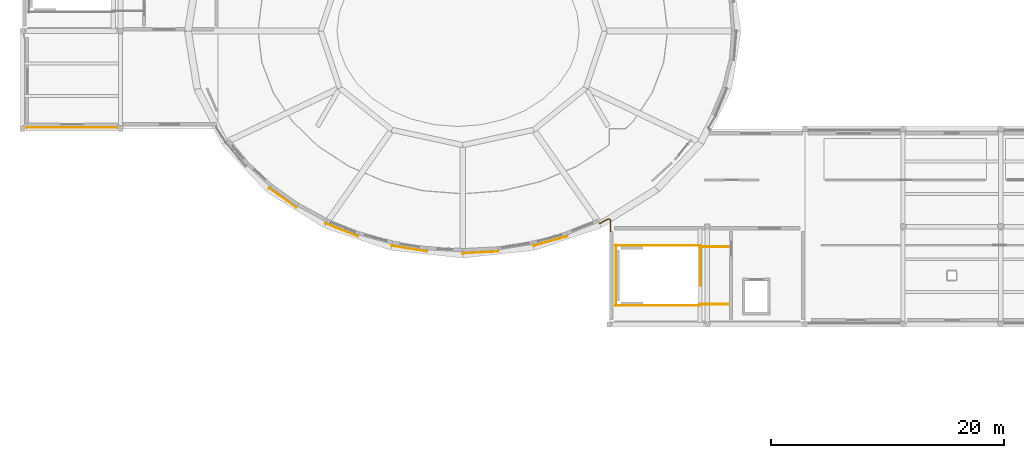
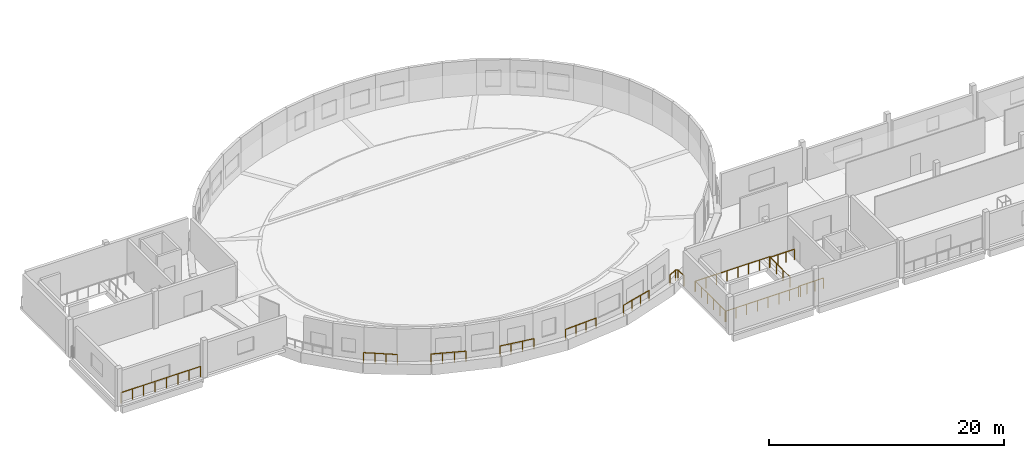
# One storey, part 12 of 16: 13 railings.
"""IFC4 building model written with IfcOpenShell, lengths in metres."""

from ifc_helpers import new_model, si_unit, derived_unit, direction, frame, origin, origin_2d, place, context, subcontext, project, spatial, circle, extrude, material, type_object, element, save


model = new_model("IFC4")

# Units and contexts
model_context = context("Model", 3, precision=1e-05, world=origin(), true_north=direction((0.0, 1.0)))
body_context = subcontext(model_context, "Body", "Model", "MODEL_VIEW")
ifc_project = project(units=[si_unit("LENGTHUNIT", "METRE"), si_unit("AREAUNIT", "SQUARE_METRE"), si_unit("VOLUMEUNIT", "CUBIC_METRE"), si_unit("PLANEANGLEUNIT", "RADIAN"), si_unit("MASSUNIT", "GRAM", prefix="KILO"), derived_unit("THERMALTRANSMITTANCEUNIT", [(si_unit("POWERUNIT", "WATT"), 1), (si_unit("LENGTHUNIT", "METRE"), -2), (si_unit("THERMODYNAMICTEMPERATUREUNIT", "KELVIN"), -1)])], contexts=[model_context])

# Site, building, storey
site_placement = place(None, origin())
site = spatial("IfcSite", under=ifc_project, at=site_placement, CompositionType="ELEMENT")
building_placement = place(site_placement, origin())
building = spatial("IfcBuilding", under=site, at=building_placement, Name="Elbkamm Science Centre", CompositionType="ELEMENT")
storey_placement = place(building_placement, frame((0.0, 0.0, 21.60009765625)))
storey = spatial("IfcBuildingStorey", under=building, at=storey_placement, Name="L05", CompositionType="ELEMENT", Elevation=21.60009765625)

# Railings
ifc_material = material(Name="Stainless steel EN 1.4401", Category="steel")
railing_type_1 = type_object("IfcRailingType", Name="RAIL-EXT-GUARD-1100", PredefinedType="GUARDRAIL", material=ifc_material)
railing_1_placement = place(storey_placement, frame((75.699951171875, 49.97998046875, 0.0)))
element("IfcRailing", 1, at=railing_1_placement, inside=storey, type_object=railing_type_1, Name="L05 Slab Edge Perimeter Guard 130", PredefinedType="GUARDRAIL", context=body_context, shape_type="SweptSolid", body=[
    extrude(circle(Radius=0.02392578125, at=origin_2d()), frame((0.0, 0.0, 1.078125), z_axis=(0.0, 1.0, 0.0), x_axis=(-1.0, 0.0, 0.0)), (0.0, 0.0, 1.0), 0.96337890625),
    extrude(circle(Radius=0.02392578125, at=origin_2d()), frame((-0.027587890625, 1.00537109375, 1.078125), z_axis=(-0.917568798904, 0.397577035653, 0.0), x_axis=(-0.397577035653, -0.917568798904, 0.0)), (0.0, 0.0, 1.0), 0.165283203125),
    extrude(circle(Radius=0.02392578125, at=origin_2d()), frame((-0.233154296875, 1.06884765625, 1.078125), z_axis=(-0.879670945628, -0.475582829187, 0.0), x_axis=(0.475582829187, -0.879670945628, 0.0)), (0.0, 0.0, 1.0), 0.82373046875),
    extrude(circle(Radius=0.02001953125, at=origin_2d()), origin(), (0.0, 0.0, 1.0), 1.048095703125),
    extrude(circle(Radius=0.02001953125, at=origin_2d()), frame((0.0, 0.993408203125, 0.0)), (0.0, 0.0, 1.0), 1.048095703125),
    extrude(circle(Radius=0.02001953125, at=origin_2d()), frame((-0.206787109375, 1.0830078125, 0.0)), (0.0, 0.0, 1.0), 1.048095703125),
    extrude(circle(Radius=0.02001953125, at=origin_2d()), frame((-0.957763671875, 0.677001953125, 0.0)), (0.0, 0.0, 1.0), 1.048095703125),
])
railing_2_placement = place(storey_placement, frame((72.013916015625, 49.562255859375, 0.0)))
element("IfcRailing", 2, at=railing_2_placement, inside=storey, type_object=railing_type_1, Name="L05 Slab Edge Perimeter Guard 131", PredefinedType="GUARDRAIL", context=body_context, shape_type="SweptSolid", body=[
    extrude(circle(Radius=0.02392578125, at=origin_2d()), frame((0.0, 0.0, 1.078125), z_axis=(-0.963904190639, -0.266249340411, 0.0), x_axis=(0.266249340411, -0.963904190639, 0.0)), (0.0, 0.0, 1.0), 3.052490234375),
    extrude(circle(Radius=0.02001953125, at=origin_2d()), origin(), (0.0, 0.0, 1.0), 1.048095703125),
    extrude(circle(Radius=0.02001953125, at=origin_2d()), frame((-0.980712890625, -0.27099609375, 0.0)), (0.0, 0.0, 1.0), 1.048095703125),
    extrude(circle(Radius=0.02001953125, at=origin_2d()), frame((-1.961669921875, -0.541748046875, 0.0)), (0.0, 0.0, 1.0), 1.048095703125),
    extrude(circle(Radius=0.02001953125, at=origin_2d()), frame((-2.9423828125, -0.812744140625, 0.0)), (0.0, 0.0, 1.0), 1.048095703125),
])
railing_3_placement = place(storey_placement, frame((66.08447265625, 48.266357421875, 0.0)))
element("IfcRailing", 3, at=railing_3_placement, inside=storey, type_object=railing_type_1, Name="L05 Slab Edge Perimeter Guard 132", PredefinedType="GUARDRAIL", context=body_context, shape_type="SweptSolid", body=[
    extrude(circle(Radius=0.02392578125, at=origin_2d()), frame((0.0, 0.0, 1.078125), z_axis=(-0.998576897626, -0.053330849672, 0.0), x_axis=(0.053330849672, -0.998576897626, 0.0)), (0.0, 0.0, 1.0), 3.103759765625),
    extrude(circle(Radius=0.02001953125, at=origin_2d()), origin(), (0.0, 0.0, 1.0), 1.048095703125),
    extrude(circle(Radius=0.02001953125, at=origin_2d()), frame((-1.033203125, -0.05517578125, 0.0)), (0.0, 0.0, 1.0), 1.048095703125),
    extrude(circle(Radius=0.02001953125, at=origin_2d()), frame((-2.066162109375, -0.1103515625, 0.0)), (0.0, 0.0, 1.0), 1.048095703125),
    extrude(circle(Radius=0.02001953125, at=origin_2d()), frame((-3.099365234375, -0.16552734375, 0.0)), (0.0, 0.0, 1.0), 1.048095703125),
])
railing_4_placement = place(storey_placement, frame((59.9453125, 48.26318359375, 0.0)))
element("IfcRailing", 4, at=railing_4_placement, inside=storey, type_object=railing_type_1, Name="L05 Slab Edge Perimeter Guard 133", PredefinedType="GUARDRAIL", context=body_context, shape_type="SweptSolid", body=[
    extrude(circle(Radius=0.02392578125, at=origin_2d()), frame((0.0, 0.0, 1.078125), z_axis=(-0.98716318052, 0.15971491798, 0.0), x_axis=(-0.15971491798, -0.98716318052, 0.0)), (0.0, 0.0, 1.0), 3.086181640625),
    extrude(circle(Radius=0.02001953125, at=origin_2d()), origin(), (0.0, 0.0, 1.0), 1.048095703125),
    extrude(circle(Radius=0.02001953125, at=origin_2d()), frame((-1.015625, 0.164306640625, 0.0)), (0.0, 0.0, 1.0), 1.048095703125),
    extrude(circle(Radius=0.02001953125, at=origin_2d()), frame((-2.031005859375, 0.32861328125, 0.0)), (0.0, 0.0, 1.0), 1.048095703125),
    extrude(circle(Radius=0.02001953125, at=origin_2d()), frame((-3.046630859375, 0.492919921875, 0.0)), (0.0, 0.0, 1.0), 1.048095703125),
])
railing_5_placement = place(storey_placement, frame((54.015869140625, 49.55224609375, 0.0)))
element("IfcRailing", 5, at=railing_5_placement, inside=storey, type_object=railing_type_1, Name="L05 Slab Edge Perimeter Guard 134", PredefinedType="GUARDRAIL", context=body_context, shape_type="SweptSolid", body=[
    extrude(circle(Radius=0.02392578125, at=origin_2d()), frame((0.0, 0.0, 1.078125), z_axis=(-0.928089392331, 0.372357462451, 0.0), x_axis=(-0.372357462451, -0.928089392331, 0.0)), (0.0, 0.0, 1.0), 3.003662109375),
    extrude(circle(Radius=0.02001953125, at=origin_2d()), origin(), (0.0, 0.0, 1.0), 1.048095703125),
    extrude(circle(Radius=0.02001953125, at=origin_2d()), frame((-0.92919921875, 0.372802734375, 0.0)), (0.0, 0.0, 1.0), 1.048095703125),
    extrude(circle(Radius=0.02001953125, at=origin_2d()), frame((-1.8583984375, 0.74560546875, 0.0)), (0.0, 0.0, 1.0), 1.048095703125),
    extrude(circle(Radius=0.02001953125, at=origin_2d()), frame((-2.78759765625, 1.118408203125, 0.0)), (0.0, 0.0, 1.0), 1.048095703125),
])
railing_6_placement = place(storey_placement, frame((48.701416015625, 52.04443359375, 0.0)))
element("IfcRailing", 6, at=railing_6_placement, inside=storey, type_object=railing_type_1, Name="L05 Slab Edge Perimeter Guard 135", PredefinedType="GUARDRAIL", context=body_context, shape_type="SweptSolid", body=[
    extrude(circle(Radius=0.02392578125, at=origin_2d()), frame((0.0, 0.0, 1.078125), z_axis=(-0.814037621768, 0.580812147209, 0.0), x_axis=(-0.580812147209, -0.814037621768, 0.0)), (0.0, 0.0, 1.0), 2.87353515625),
    extrude(circle(Radius=0.02001953125, at=origin_2d()), origin(), (0.0, 0.0, 1.0), 1.048095703125),
    extrude(circle(Radius=0.02001953125, at=origin_2d()), frame((-0.77978515625, 0.556396484375, 0.0)), (0.0, 0.0, 1.0), 1.048095703125),
    extrude(circle(Radius=0.02001953125, at=origin_2d()), frame((-1.559326171875, 1.112548828125, 0.0)), (0.0, 0.0, 1.0), 1.048095703125),
    extrude(circle(Radius=0.02001953125, at=origin_2d()), frame((-2.339111328125, 1.6689453125, 0.0)), (0.0, 0.0, 1.0), 1.048095703125),
])
railing_7_placement = place(storey_placement, frame((33.320068359375, 58.89990234375, 0.0)))
element("IfcRailing", 7, at=railing_7_placement, inside=storey, type_object=railing_type_1, Name="L05 Slab Edge Perimeter Guard 137", PredefinedType="GUARDRAIL", context=body_context, shape_type="SweptSolid", body=[
    extrude(circle(Radius=0.02392578125, at=origin_2d()), frame((0.0, 0.0, 1.078125), z_axis=(-1.0, 0.0, 0.0), x_axis=(0.0, -1.0, 0.0)), (0.0, 0.0, 1.0), 7.840087890625),
    extrude(circle(Radius=0.02001953125, at=origin_2d()), origin(), (0.0, 0.0, 1.0), 1.048095703125),
    extrude(circle(Radius=0.02001953125, at=origin_2d()), frame((-1.1201171875, 0.0, 0.0)), (0.0, 0.0, 1.0), 1.048095703125),
    extrude(circle(Radius=0.02001953125, at=origin_2d()), frame((-2.239990234375, 0.0, 0.0)), (0.0, 0.0, 1.0), 1.048095703125),
    extrude(circle(Radius=0.02001953125, at=origin_2d()), frame((-3.360107421875, 0.0, 0.0)), (0.0, 0.0, 1.0), 1.048095703125),
    extrude(circle(Radius=0.02001953125, at=origin_2d()), frame((-4.47998046875, 0.0, 0.0)), (0.0, 0.0, 1.0), 1.048095703125),
    extrude(circle(Radius=0.02001953125, at=origin_2d()), frame((-5.60009765625, 0.0, 0.0)), (0.0, 0.0, 1.0), 1.048095703125),
    extrude(circle(Radius=0.02001953125, at=origin_2d()), frame((-6.719970703125, 0.0, 0.0)), (0.0, 0.0, 1.0), 1.048095703125),
    extrude(circle(Radius=0.02001953125, at=origin_2d()), frame((-7.840087890625, 0.0, 0.0)), (0.0, 0.0, 1.0), 1.048095703125),
])
railing_type_2 = type_object("IfcRailingType", Name="RAIL-GUARD-1100", PredefinedType="GUARDRAIL", material=ifc_material)
railing_8_placement = place(storey_placement, frame((83.429931640625, 48.719970703125, 0.0)))
element("IfcRailing", 8, at=railing_8_placement, inside=storey, type_object=railing_type_2, Name="L05 ST-C2 top well guard 1", PredefinedType="GUARDRAIL", context=body_context, shape_type="SweptSolid", body=[
    extrude(circle(Radius=0.02392578125, at=origin_2d()), frame((0.0, 0.0, 1.078125), z_axis=(0.0, -1.0, 0.0), x_axis=(1.0, 0.0, 0.0)), (0.0, 0.0, 1.0), 3.389892578125),
    extrude(circle(Radius=0.02001953125, at=origin_2d()), origin(), (0.0, 0.0, 1.0), 1.048095703125),
    extrude(circle(Radius=0.02001953125, at=origin_2d()), frame((0.0, -1.1298828125, 0.0)), (0.0, 0.0, 1.0), 1.048095703125),
    extrude(circle(Radius=0.02001953125, at=origin_2d()), frame((0.0, -2.260009765625, 0.0)), (0.0, 0.0, 1.0), 1.048095703125),
    extrude(circle(Radius=0.02001953125, at=origin_2d()), frame((0.0, -3.389892578125, 0.0)), (0.0, 0.0, 1.0), 1.048095703125),
])
for number, where, name in (
    (9, (83.47998046875, 48.77001953125, 0.0), "L05 ST-C2 top well guard 2"),
    (10, (83.47998046875, 43.6298828125, 0.0), "L05 ST-C2 top well guard 3"),
):
    element("IfcRailing", number, at=place(storey_placement, frame(where)), inside=storey, type_object=railing_type_2, Name=name, PredefinedType="GUARDRAIL", context=body_context, shape_type="SweptSolid", body=[
        extrude(circle(Radius=0.02392578125, at=origin_2d()), frame((0.0, 0.0, 1.078125), z_axis=(-1.0, 0.0, 0.0), x_axis=(0.0, -1.0, 0.0)), (0.0, 0.0, 1.0), 7.3798828125),
        extrude(circle(Radius=0.02001953125, at=origin_2d()), origin(), (0.0, 0.0, 1.0), 1.048095703125),
        extrude(circle(Radius=0.02001953125, at=origin_2d()), frame((-1.05419921875, 0.0, 0.0)), (0.0, 0.0, 1.0), 1.048095703125),
        extrude(circle(Radius=0.02001953125, at=origin_2d()), frame((-2.108642578125, 0.0, 0.0)), (0.0, 0.0, 1.0), 1.048095703125),
        extrude(circle(Radius=0.02001953125, at=origin_2d()), frame((-3.162841796875, 0.0, 0.0)), (0.0, 0.0, 1.0), 1.048095703125),
        extrude(circle(Radius=0.02001953125, at=origin_2d()), frame((-4.217041015625, 0.0, 0.0)), (0.0, 0.0, 1.0), 1.048095703125),
        extrude(circle(Radius=0.02001953125, at=origin_2d()), frame((-5.271240234375, 0.0, 0.0)), (0.0, 0.0, 1.0), 1.048095703125),
        extrude(circle(Radius=0.02001953125, at=origin_2d()), frame((-6.32568359375, 0.0, 0.0)), (0.0, 0.0, 1.0), 1.048095703125),
        extrude(circle(Radius=0.02001953125, at=origin_2d()), frame((-7.3798828125, 0.0, 0.0)), (0.0, 0.0, 1.0), 1.048095703125),
    ])
railing_9_placement = place(storey_placement, frame((76.14990234375, 48.820068359375, 0.0)))
element("IfcRailing", 11, at=railing_9_placement, inside=storey, type_object=railing_type_2, Name="L05 ST-C2 top well guard 4", PredefinedType="GUARDRAIL", context=body_context, shape_type="SweptSolid", body=[
    extrude(circle(Radius=0.02392578125, at=origin_2d()), frame((0.0, 0.0, 1.078125), z_axis=(0.0, -1.0, 0.0), x_axis=(1.0, 0.0, 0.0)), (0.0, 0.0, 1.0), 5.239990234375),
    extrude(circle(Radius=0.02001953125, at=origin_2d()), origin(), (0.0, 0.0, 1.0), 1.048095703125),
    extrude(circle(Radius=0.02001953125, at=origin_2d()), frame((0.0, -1.048095703125, 0.0)), (0.0, 0.0, 1.0), 1.048095703125),
    extrude(circle(Radius=0.02001953125, at=origin_2d()), frame((0.0, -2.095947265625, 0.0)), (0.0, 0.0, 1.0), 1.048095703125),
    extrude(circle(Radius=0.02001953125, at=origin_2d()), frame((0.0, -3.14404296875, 0.0)), (0.0, 0.0, 1.0), 1.048095703125),
    extrude(circle(Radius=0.02001953125, at=origin_2d()), frame((0.0, -4.19189453125, 0.0)), (0.0, 0.0, 1.0), 1.048095703125),
    extrude(circle(Radius=0.02001953125, at=origin_2d()), frame((0.0, -5.239990234375, 0.0)), (0.0, 0.0, 1.0), 1.048095703125),
])
for number, where, name in (
    (12, (85.800048828125, 48.669921875, 0.0), "L05 ST-C2 top well guard 5"),
    (13, (85.800048828125, 43.72998046875, 0.0), "L05 ST-C2 top well guard 6"),
):
    element("IfcRailing", number, at=place(storey_placement, frame(where)), inside=storey, type_object=railing_type_2, Name=name, PredefinedType="GUARDRAIL", context=body_context, shape_type="SweptSolid", body=[
        extrude(circle(Radius=0.02392578125, at=origin_2d()), frame((0.0, 0.0, 1.078125), z_axis=(-1.0, 0.0, 0.0), x_axis=(0.0, -1.0, 0.0)), (0.0, 0.0, 1.0), 2.420166015625),
        extrude(circle(Radius=0.02001953125, at=origin_2d()), origin(), (0.0, 0.0, 1.0), 1.048095703125),
        extrude(circle(Radius=0.02001953125, at=origin_2d()), frame((-0.806640625, 0.0, 0.0)), (0.0, 0.0, 1.0), 1.048095703125),
        extrude(circle(Radius=0.02001953125, at=origin_2d()), frame((-1.613525390625, 0.0, 0.0)), (0.0, 0.0, 1.0), 1.048095703125),
        extrude(circle(Radius=0.02001953125, at=origin_2d()), frame((-2.420166015625, 0.0, 0.0)), (0.0, 0.0, 1.0), 1.048095703125),
    ])

save(model, "model.ifc")
